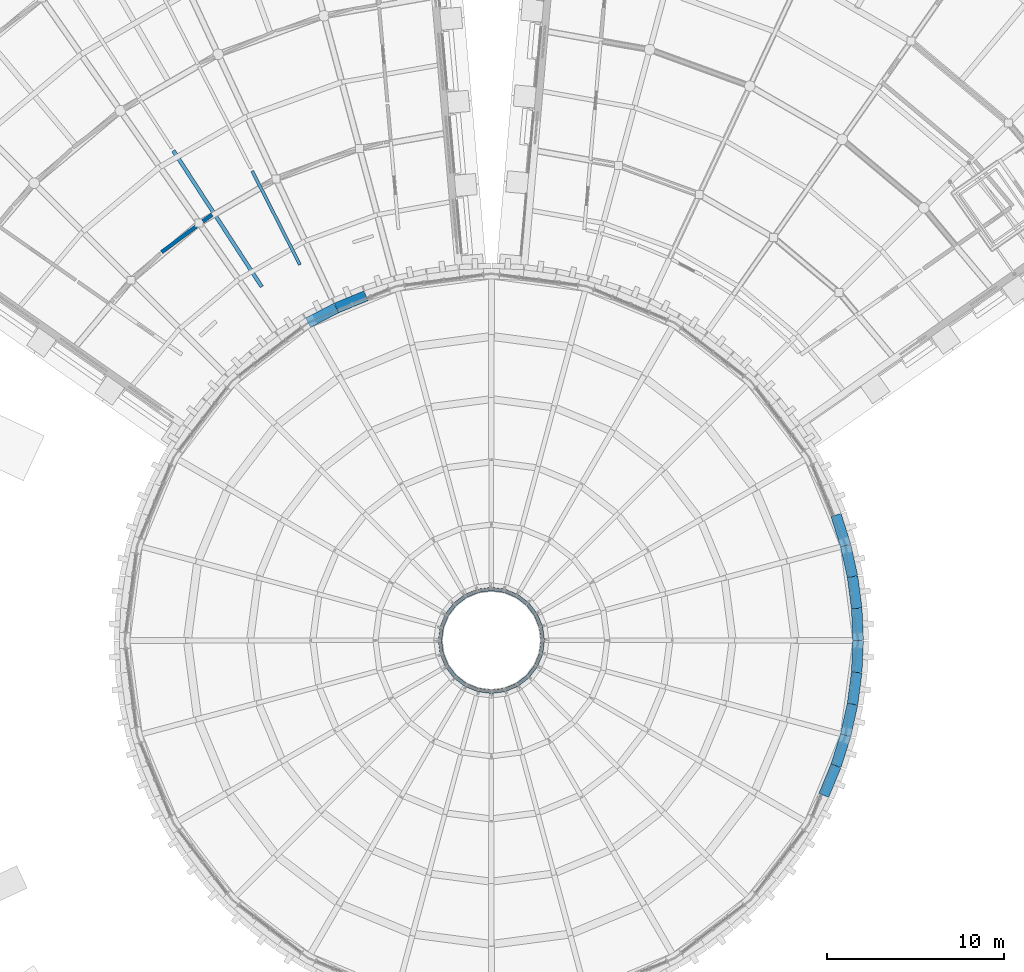
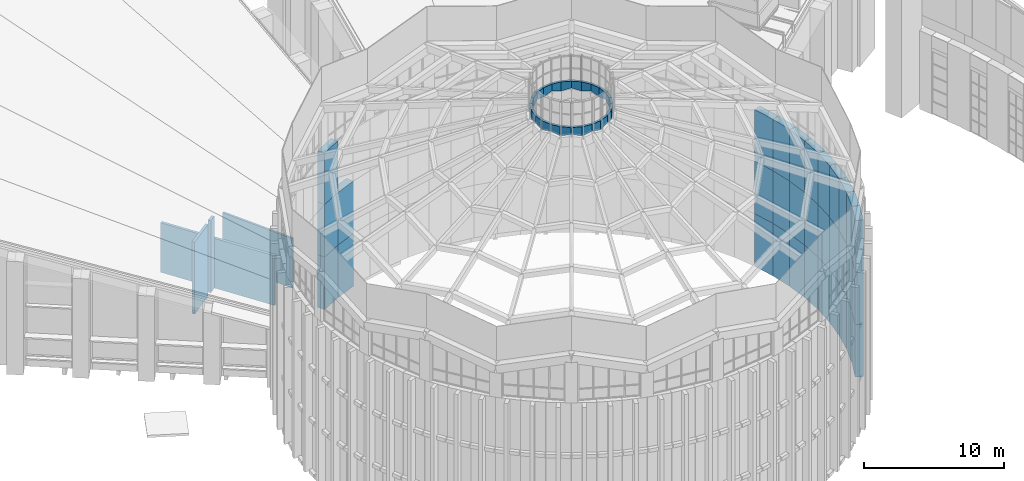
# One storey, part 54 of 82: 60 walls.
"""IFC4 building model written with IfcOpenShell, lengths in metres."""

from ifc_helpers import new_model, si_unit, direction, frame, frame_2d, origin, place, context, subcontext, project, spatial, polyline, rectangle, outline, extrude, material, layer, layer_set, type_object, element, save


model = new_model("IFC4")

# Units and contexts
model_context = context("Model", 3, precision=1e-05, world=origin(), true_north=direction((0.0, 1.0)))
body_context = subcontext(model_context, "Body", "Model", "MODEL_VIEW")
ifc_project = project(units=[si_unit("LENGTHUNIT", "METRE"), si_unit("AREAUNIT", "SQUARE_METRE"), si_unit("VOLUMEUNIT", "CUBIC_METRE"), si_unit("PLANEANGLEUNIT", "RADIAN"), si_unit("MASSUNIT", "GRAM", prefix="KILO")], contexts=[model_context])

# Site, building, storey
site_placement = place(None, origin())
site = spatial("IfcSite", under=ifc_project, at=site_placement, CompositionType="ELEMENT")
building_placement = place(site_placement, origin())
building = spatial("IfcBuilding", under=site, at=building_placement, Name="Volute Hill Aquarium", CompositionType="ELEMENT")
storey_placement = place(building_placement, frame((0.0, 0.0, 13.800048828125)))
storey = spatial("IfcBuildingStorey", under=building, at=storey_placement, Name="L04", CompositionType="ELEMENT", Elevation=13.800048828125)

# Walls
ifc_material_1 = material(Name="Gypsum board on steel studs", Category="steel")
ifc_layer_1 = layer(ifc_material_1, 0.175048828125)
ifc_layer_set_1 = layer_set([ifc_layer_1], Name="Corridor partition 175 EI 60")
wall_type_1 = type_object("IfcWallType", Name="Corridor partition 175 EI 60", PredefinedType="PARTITIONING", material=ifc_layer_set_1)
wall_1_placement = place(storey_placement, frame((-13.500732421875, 26.496826171875, 0.0), z_axis=(0.0, 0.0, 1.0), x_axis=(0.453992914648, -0.891005293727, 0.0)))
element("IfcWall", 1, at=wall_1_placement, inside=storey, type_object=wall_type_1, Name="pw/S6/L04/009", PredefinedType="PARTITIONING", context=body_context, shape_type="SweptSolid", body=[
    extrude(rectangle(XDim=5.93798828125, YDim=0.175048828125, at=frame_2d((2.968994140625, 0.0))), origin(), (0.0, 0.0, 1.0), 4.3349609375),
])
ifc_material_2 = material(Name="Concrete C35/45", Category="concrete")
ifc_layer_2 = layer(ifc_material_2, 0.60009765625)
ifc_layer_set_2 = layer_set([ifc_layer_2], Name="Drum wall C35/45 600")
wall_type_2 = type_object("IfcWallType", Name="Drum wall C35/45 600", PredefinedType="SHEAR", material=ifc_layer_set_2)
wall_2_placement = place(storey_placement, frame((20.699951171875, 0.0, 0.0), z_axis=(0.0, 0.0, 1.0), x_axis=(-0.043666024022, 0.999046184291, 0.0)))
element("IfcWall", 2, at=wall_2_placement, inside=storey, type_object=wall_type_2, Name="sw/DR/L04/0", PredefinedType="SHEAR", context=body_context, shape_type="SweptSolid", body=[
    extrude(rectangle(XDim=1.805908203125, YDim=0.60009765625, at=frame_2d((0.90283203125, 0.0))), origin(), (0.0, 0.0, 1.0), 4.599853515625),
])
wall_3_placement = place(storey_placement, frame((20.699951171875, 0.0, 4.599853515625), z_axis=(0.0, 0.0, 1.0), x_axis=(-0.043666024022, 0.999046184291, 0.0)))
element("IfcWall", 3, at=wall_3_placement, inside=storey, type_object=wall_type_2, Name="sw/DR/L04/72", PredefinedType="SHEAR", context=body_context, shape_type="SweptSolid", body=[
    extrude(rectangle(XDim=1.805908203125, YDim=0.60009765625, at=frame_2d((0.90283203125, 0.0))), origin(), (0.0, 0.0, 1.0), 4.60009765625),
])
wall_4_placement = place(storey_placement, frame((20.699951171875, 0.0, 9.199951171875), z_axis=(0.0, 0.0, 1.0), x_axis=(-0.043666024022, 0.999046184291, 0.0)))
element("IfcWall", 4, at=wall_4_placement, inside=storey, type_object=wall_type_2, Name="sw/DR/L04/144", PredefinedType="SHEAR", context=body_context, shape_type="SweptSolid", body=[
    extrude(rectangle(XDim=1.805908203125, YDim=0.60009765625, at=frame_2d((0.90283203125, 0.0))), origin(), (0.0, 0.0, 1.0), 4.5),
])
wall_5_placement = place(storey_placement, frame((20.62109375, 1.80419921875, 0.0), z_axis=(0.0, 0.0, 1.0), x_axis=(-0.130471999813, 0.991451994433, 0.0)))
element("IfcWall", 5, at=wall_5_placement, inside=storey, type_object=wall_type_2, Name="sw/DR/L04/1", PredefinedType="SHEAR", context=body_context, shape_type="SweptSolid", body=[
    extrude(rectangle(XDim=1.8056640625, YDim=0.60009765625, at=frame_2d((0.90283203125, 0.0))), origin(), (0.0, 0.0, 1.0), 4.599853515625),
])
wall_6_placement = place(storey_placement, frame((20.62109375, 1.80419921875, 4.599853515625), z_axis=(0.0, 0.0, 1.0), x_axis=(-0.130471999813, 0.991451994433, 0.0)))
element("IfcWall", 6, at=wall_6_placement, inside=storey, type_object=wall_type_2, Name="sw/DR/L04/73", PredefinedType="SHEAR", context=body_context, shape_type="SweptSolid", body=[
    extrude(rectangle(XDim=1.8056640625, YDim=0.60009765625, at=frame_2d((0.90283203125, 0.0))), origin(), (0.0, 0.0, 1.0), 4.60009765625),
])
wall_7_placement = place(storey_placement, frame((20.62109375, 1.80419921875, 9.199951171875), z_axis=(0.0, 0.0, 1.0), x_axis=(-0.130471999813, 0.991451994433, 0.0)))
element("IfcWall", 7, at=wall_7_placement, inside=storey, type_object=wall_type_2, Name="sw/DR/L04/145", PredefinedType="SHEAR", context=body_context, shape_type="SweptSolid", body=[
    extrude(rectangle(XDim=1.8056640625, YDim=0.60009765625, at=frame_2d((0.90283203125, 0.0))), origin(), (0.0, 0.0, 1.0), 4.5),
])
wall_8_placement = place(storey_placement, frame((20.385498046875, 3.594482421875, 0.0), z_axis=(0.0, 0.0, 1.0), x_axis=(-0.216429453554, 0.976298259567, 0.0)))
element("IfcWall", 8, at=wall_8_placement, inside=storey, type_object=wall_type_2, Name="sw/DR/L04/2", PredefinedType="SHEAR", context=body_context, shape_type="SweptSolid", body=[
    extrude(rectangle(XDim=1.805908203125, YDim=0.60009765625, at=frame_2d((0.90283203125, 0.0))), origin(), (0.0, 0.0, 1.0), 4.599853515625),
])
wall_9_placement = place(storey_placement, frame((20.385498046875, 3.594482421875, 4.599853515625), z_axis=(0.0, 0.0, 1.0), x_axis=(-0.216429453554, 0.976298259567, 0.0)))
element("IfcWall", 9, at=wall_9_placement, inside=storey, type_object=wall_type_2, Name="sw/DR/L04/74", PredefinedType="SHEAR", context=body_context, shape_type="SweptSolid", body=[
    extrude(rectangle(XDim=1.805908203125, YDim=0.60009765625, at=frame_2d((0.90283203125, 0.0))), origin(), (0.0, 0.0, 1.0), 4.60009765625),
])
wall_10_placement = place(storey_placement, frame((20.385498046875, 3.594482421875, 9.199951171875), z_axis=(0.0, 0.0, 1.0), x_axis=(-0.216429453554, 0.976298259567, 0.0)))
element("IfcWall", 10, at=wall_10_placement, inside=storey, type_object=wall_type_2, Name="sw/DR/L04/146", PredefinedType="SHEAR", context=body_context, shape_type="SweptSolid", body=[
    extrude(rectangle(XDim=1.805908203125, YDim=0.60009765625, at=frame_2d((0.90283203125, 0.0))), origin(), (0.0, 0.0, 1.0), 4.5),
])
wall_11_placement = place(storey_placement, frame((19.99462890625, 5.357666015625, 0.0), z_axis=(0.0, 0.0, 1.0), x_axis=(-0.300691330354, 0.953721512733, 0.0)))
element("IfcWall", 11, at=wall_11_placement, inside=storey, type_object=wall_type_2, Name="sw/DR/L04/3", PredefinedType="SHEAR", context=body_context, shape_type="SweptSolid", body=[
    extrude(rectangle(XDim=1.8056640625, YDim=0.60009765625, at=frame_2d((0.90283203125, 0.0))), origin(), (0.0, 0.0, 1.0), 4.599853515625),
])
wall_12_placement = place(storey_placement, frame((19.99462890625, 5.357666015625, 4.599853515625), z_axis=(0.0, 0.0, 1.0), x_axis=(-0.300691330354, 0.953721512733, 0.0)))
element("IfcWall", 12, at=wall_12_placement, inside=storey, type_object=wall_type_2, Name="sw/DR/L04/75", PredefinedType="SHEAR", context=body_context, shape_type="SweptSolid", body=[
    extrude(rectangle(XDim=1.8056640625, YDim=0.60009765625, at=frame_2d((0.90283203125, 0.0))), origin(), (0.0, 0.0, 1.0), 4.60009765625),
])
wall_13_placement = place(storey_placement, frame((19.99462890625, 5.357666015625, 9.199951171875), z_axis=(0.0, 0.0, 1.0), x_axis=(-0.300691330354, 0.953721512733, 0.0)))
element("IfcWall", 13, at=wall_13_placement, inside=storey, type_object=wall_type_2, Name="sw/DR/L04/147", PredefinedType="SHEAR", context=body_context, shape_type="SweptSolid", body=[
    extrude(rectangle(XDim=1.8056640625, YDim=0.60009765625, at=frame_2d((0.90283203125, 0.0))), origin(), (0.0, 0.0, 1.0), 4.5),
])
wall_14_placement = place(storey_placement, frame((-7.079833984375, 19.45166015625, 0.0), z_axis=(0.0, 0.0, 1.0), x_axis=(-0.923866889322, -0.382713954298, 0.0)))
element("IfcWall", 14, at=wall_14_placement, inside=storey, type_object=wall_type_2, Name="sw/DR/L04/22", PredefinedType="SHEAR", context=body_context, shape_type="SweptSolid", body=[
    extrude(rectangle(XDim=1.805908203125, YDim=0.60009765625, at=frame_2d((0.90283203125, 0.0))), origin(), (0.0, 0.0, 1.0), 4.599853515625),
])
wall_15_placement = place(storey_placement, frame((-7.079833984375, 19.45166015625, 4.599853515625), z_axis=(0.0, 0.0, 1.0), x_axis=(-0.923866889322, -0.382713954298, 0.0)))
element("IfcWall", 15, at=wall_15_placement, inside=storey, type_object=wall_type_2, Name="sw/DR/L04/94", PredefinedType="SHEAR", context=body_context, shape_type="SweptSolid", body=[
    extrude(rectangle(XDim=1.805908203125, YDim=0.60009765625, at=frame_2d((0.90283203125, 0.0))), origin(), (0.0, 0.0, 1.0), 4.60009765625),
])
wall_16_placement = place(storey_placement, frame((-8.748291015625, 18.760498046875, 0.0), z_axis=(0.0, 0.0, 1.0), x_axis=(-0.887035219654, -0.461701764231, 0.0)))
element("IfcWall", 16, at=wall_16_placement, inside=storey, type_object=wall_type_2, Name="sw/DR/L04/23", PredefinedType="SHEAR", context=body_context, shape_type="SweptSolid", body=[
    extrude(rectangle(XDim=1.805908203125, YDim=0.60009765625, at=frame_2d((0.90283203125, 0.0))), origin(), (0.0, 0.0, 1.0), 4.599853515625),
])
wall_17_placement = place(storey_placement, frame((-8.748291015625, 18.760498046875, 4.599853515625), z_axis=(0.0, 0.0, 1.0), x_axis=(-0.887035219654, -0.461701764231, 0.0)))
element("IfcWall", 17, at=wall_17_placement, inside=storey, type_object=wall_type_2, Name="sw/DR/L04/95", PredefinedType="SHEAR", context=body_context, shape_type="SweptSolid", body=[
    extrude(rectangle(XDim=1.805908203125, YDim=0.60009765625, at=frame_2d((0.90283203125, 0.0))), origin(), (0.0, 0.0, 1.0), 4.60009765625),
])
wall_18_placement = place(storey_placement, frame((-8.748291015625, 18.760498046875, 9.199951171875), z_axis=(0.0, 0.0, 1.0), x_axis=(-0.887035219654, -0.461701764231, 0.0)))
element("IfcWall", 18, at=wall_18_placement, inside=storey, type_object=wall_type_2, Name="sw/DR/L04/167", PredefinedType="SHEAR", context=body_context, shape_type="SweptSolid", body=[
    extrude(rectangle(XDim=1.805908203125, YDim=0.60009765625, at=frame_2d((0.90283203125, 0.0))), origin(), (0.0, 0.0, 1.0), 4.5),
])
wall_19_placement = place(storey_placement, frame((18.760498046875, -8.748291015625, 0.0), z_axis=(0.0, 0.0, 1.0), x_axis=(0.382713954298, 0.923866889322, 0.0)))
element("IfcWall", 19, at=wall_19_placement, inside=storey, type_object=wall_type_2, Name="sw/DR/L04/67", PredefinedType="SHEAR", context=body_context, shape_type="SweptSolid", body=[
    extrude(rectangle(XDim=1.805908203125, YDim=0.60009765625, at=frame_2d((0.90283203125, 0.0))), origin(), (0.0, 0.0, 1.0), 4.599853515625),
])
wall_20_placement = place(storey_placement, frame((18.760498046875, -8.748291015625, 4.599853515625), z_axis=(0.0, 0.0, 1.0), x_axis=(0.382713954298, 0.923866889322, 0.0)))
element("IfcWall", 20, at=wall_20_placement, inside=storey, type_object=wall_type_2, Name="sw/DR/L04/139", PredefinedType="SHEAR", context=body_context, shape_type="SweptSolid", body=[
    extrude(rectangle(XDim=1.805908203125, YDim=0.60009765625, at=frame_2d((0.90283203125, 0.0))), origin(), (0.0, 0.0, 1.0), 4.60009765625),
])
wall_21_placement = place(storey_placement, frame((18.760498046875, -8.748291015625, 9.199951171875), z_axis=(0.0, 0.0, 1.0), x_axis=(0.382713954298, 0.923866889322, 0.0)))
element("IfcWall", 21, at=wall_21_placement, inside=storey, type_object=wall_type_2, Name="sw/DR/L04/211", PredefinedType="SHEAR", context=body_context, shape_type="SweptSolid", body=[
    extrude(rectangle(XDim=1.805908203125, YDim=0.60009765625, at=frame_2d((0.90283203125, 0.0))), origin(), (0.0, 0.0, 1.0), 4.5),
])
wall_22_placement = place(storey_placement, frame((19.45166015625, -7.079833984375, 0.0), z_axis=(0.0, 0.0, 1.0), x_axis=(0.300691330354, 0.953721512733, 0.0)))
element("IfcWall", 22, at=wall_22_placement, inside=storey, type_object=wall_type_2, Name="sw/DR/L04/68", PredefinedType="SHEAR", context=body_context, shape_type="SweptSolid", body=[
    extrude(rectangle(XDim=1.8056640625, YDim=0.60009765625, at=frame_2d((0.90283203125, 0.0))), origin(), (0.0, 0.0, 1.0), 4.599853515625),
])
wall_23_placement = place(storey_placement, frame((19.45166015625, -7.079833984375, 4.599853515625), z_axis=(0.0, 0.0, 1.0), x_axis=(0.300691330354, 0.953721512733, 0.0)))
element("IfcWall", 23, at=wall_23_placement, inside=storey, type_object=wall_type_2, Name="sw/DR/L04/140", PredefinedType="SHEAR", context=body_context, shape_type="SweptSolid", body=[
    extrude(rectangle(XDim=1.8056640625, YDim=0.60009765625, at=frame_2d((0.90283203125, 0.0))), origin(), (0.0, 0.0, 1.0), 4.60009765625),
])
wall_24_placement = place(storey_placement, frame((19.45166015625, -7.079833984375, 9.199951171875), z_axis=(0.0, 0.0, 1.0), x_axis=(0.300691330354, 0.953721512733, 0.0)))
element("IfcWall", 24, at=wall_24_placement, inside=storey, type_object=wall_type_2, Name="sw/DR/L04/212", PredefinedType="SHEAR", context=body_context, shape_type="SweptSolid", body=[
    extrude(rectangle(XDim=1.8056640625, YDim=0.60009765625, at=frame_2d((0.90283203125, 0.0))), origin(), (0.0, 0.0, 1.0), 4.5),
])
wall_25_placement = place(storey_placement, frame((19.99462890625, -5.357666015625, 0.0), z_axis=(0.0, 0.0, 1.0), x_axis=(0.216429453554, 0.976298259567, 0.0)))
element("IfcWall", 25, at=wall_25_placement, inside=storey, type_object=wall_type_2, Name="sw/DR/L04/69", PredefinedType="SHEAR", context=body_context, shape_type="SweptSolid", body=[
    extrude(rectangle(XDim=1.805908203125, YDim=0.60009765625, at=frame_2d((0.90283203125, 0.0))), origin(), (0.0, 0.0, 1.0), 4.599853515625),
])
wall_26_placement = place(storey_placement, frame((19.99462890625, -5.357666015625, 4.599853515625), z_axis=(0.0, 0.0, 1.0), x_axis=(0.216429453554, 0.976298259567, 0.0)))
element("IfcWall", 26, at=wall_26_placement, inside=storey, type_object=wall_type_2, Name="sw/DR/L04/141", PredefinedType="SHEAR", context=body_context, shape_type="SweptSolid", body=[
    extrude(rectangle(XDim=1.805908203125, YDim=0.60009765625, at=frame_2d((0.90283203125, 0.0))), origin(), (0.0, 0.0, 1.0), 4.60009765625),
])
wall_27_placement = place(storey_placement, frame((19.99462890625, -5.357666015625, 9.199951171875), z_axis=(0.0, 0.0, 1.0), x_axis=(0.216429453554, 0.976298259567, 0.0)))
element("IfcWall", 27, at=wall_27_placement, inside=storey, type_object=wall_type_2, Name="sw/DR/L04/213", PredefinedType="SHEAR", context=body_context, shape_type="SweptSolid", body=[
    extrude(rectangle(XDim=1.805908203125, YDim=0.60009765625, at=frame_2d((0.90283203125, 0.0))), origin(), (0.0, 0.0, 1.0), 4.5),
])
wall_28_placement = place(storey_placement, frame((20.385498046875, -3.594482421875, 0.0), z_axis=(0.0, 0.0, 1.0), x_axis=(0.130471999813, 0.991451994433, 0.0)))
element("IfcWall", 28, at=wall_28_placement, inside=storey, type_object=wall_type_2, Name="sw/DR/L04/70", PredefinedType="SHEAR", context=body_context, shape_type="SweptSolid", body=[
    extrude(rectangle(XDim=1.8056640625, YDim=0.60009765625, at=frame_2d((0.90283203125, 0.0))), origin(), (0.0, 0.0, 1.0), 4.599853515625),
])
wall_29_placement = place(storey_placement, frame((20.385498046875, -3.594482421875, 4.599853515625), z_axis=(0.0, 0.0, 1.0), x_axis=(0.130471999813, 0.991451994433, 0.0)))
element("IfcWall", 29, at=wall_29_placement, inside=storey, type_object=wall_type_2, Name="sw/DR/L04/142", PredefinedType="SHEAR", context=body_context, shape_type="SweptSolid", body=[
    extrude(rectangle(XDim=1.8056640625, YDim=0.60009765625, at=frame_2d((0.90283203125, 0.0))), origin(), (0.0, 0.0, 1.0), 4.60009765625),
])
wall_30_placement = place(storey_placement, frame((20.385498046875, -3.594482421875, 9.199951171875), z_axis=(0.0, 0.0, 1.0), x_axis=(0.130471999813, 0.991451994433, 0.0)))
element("IfcWall", 30, at=wall_30_placement, inside=storey, type_object=wall_type_2, Name="sw/DR/L04/214", PredefinedType="SHEAR", context=body_context, shape_type="SweptSolid", body=[
    extrude(rectangle(XDim=1.8056640625, YDim=0.60009765625, at=frame_2d((0.90283203125, 0.0))), origin(), (0.0, 0.0, 1.0), 4.5),
])
wall_31_placement = place(storey_placement, frame((20.62109375, -1.80419921875, 0.0), z_axis=(0.0, 0.0, 1.0), x_axis=(0.043666024022, 0.999046184291, 0.0)))
element("IfcWall", 31, at=wall_31_placement, inside=storey, type_object=wall_type_2, Name="sw/DR/L04/71", PredefinedType="SHEAR", context=body_context, shape_type="SweptSolid", body=[
    extrude(rectangle(XDim=1.805908203125, YDim=0.60009765625, at=frame_2d((0.90283203125, 0.0))), origin(), (0.0, 0.0, 1.0), 4.599853515625),
])
wall_32_placement = place(storey_placement, frame((20.62109375, -1.80419921875, 4.599853515625), z_axis=(0.0, 0.0, 1.0), x_axis=(0.043666024022, 0.999046184291, 0.0)))
element("IfcWall", 32, at=wall_32_placement, inside=storey, type_object=wall_type_2, Name="sw/DR/L04/143", PredefinedType="SHEAR", context=body_context, shape_type="SweptSolid", body=[
    extrude(rectangle(XDim=1.805908203125, YDim=0.60009765625, at=frame_2d((0.90283203125, 0.0))), origin(), (0.0, 0.0, 1.0), 4.60009765625),
])
wall_33_placement = place(storey_placement, frame((20.62109375, -1.80419921875, 9.199951171875), z_axis=(0.0, 0.0, 1.0), x_axis=(0.043666024022, 0.999046184291, 0.0)))
element("IfcWall", 33, at=wall_33_placement, inside=storey, type_object=wall_type_2, Name="sw/DR/L04/215", PredefinedType="SHEAR", context=body_context, shape_type="SweptSolid", body=[
    extrude(rectangle(XDim=1.805908203125, YDim=0.60009765625, at=frame_2d((0.90283203125, 0.0))), origin(), (0.0, 0.0, 1.0), 4.5),
])
ifc_material_3 = material(Name="Concrete C40/50", Category="concrete")
ifc_layer_3 = layer(ifc_material_3, 0.199951171875)
ifc_layer_set_3 = layer_set([ifc_layer_3], Name="Lantern kerb wall 200")
wall_type_3 = type_object("IfcWallType", Name="Lantern kerb wall 200", PredefinedType="NOTDEFINED", material=ifc_layer_set_3)
wall_34_placement = place(storey_placement, frame((2.997314453125, 0.02587890625, 24.566650390625), z_axis=(0.99147702082, 0.130281684003, 0.0), x_axis=(-0.125534482699, 0.955349601665, -0.267485013135)))
element("IfcWall", 34, at=wall_34_placement, inside=storey, type_object=wall_type_3, Name="Lantern kerb wall LK 1", PredefinedType="NOTDEFINED", context=body_context, shape_type="SweptSolid", body=[
    extrude(outline(polyline([(0.0, 0.0), (0.7584756132592307, 2.7755575615628914e-17), (0.5437561984186752, 0.7734843564657078), (-0.1604518255058531, 0.5779960656436265), (0.0, 0.0)])), origin(), (0.0, 0.0, -1.0), 0.199951171875),
])
wall_35_placement = place(storey_placement, frame((2.888427734375, 0.801025390625, 24.36376953125), z_axis=(0.923915029187, 0.382597724564, 0.0), x_axis=(-0.368649459687, 0.89023210134, 0.267552577292)))
element("IfcWall", 35, at=wall_35_placement, inside=storey, type_object=wall_type_3, Name="Lantern kerb wall LK 2", PredefinedType="NOTDEFINED", context=body_context, shape_type="SweptSolid", body=[
    extrude(outline(polyline([(0.0, 0.0), (0.7582840779485818, 0.0), (0.9187764320520095, 0.5779848133662442), (0.21477365091252357, 0.7734692984730203), (0.0, 0.0)])), origin(), (0.0, 0.0, -1.0), 0.199951171875),
])
wall_36_placement = place(storey_placement, frame((2.582763671875, 1.521240234375, 24.566650390625), z_axis=(0.793294312563, 0.608838347721, 0.0), x_axis=(-0.586640470028, 0.764371282024, -0.267562146319)))
element("IfcWall", 36, at=wall_36_placement, inside=storey, type_object=wall_type_3, Name="Lantern kerb wall LK 3", PredefinedType="NOTDEFINED", context=body_context, shape_type="SweptSolid", body=[
    extrude(outline(polyline([(0.0, 0.0), (0.7582569588638378, -2.7755575615628914e-17), (0.5434756265647186, 0.7734671654973183), (-0.16049809411768123, 0.5779832194729049), (0.0, 0.0)])), origin(), (0.0, 0.0, -1.0), 0.199951171875),
])
wall_37_placement = place(storey_placement, frame((2.100830078125, 2.137939453125, 24.36376953125), z_axis=(0.608838347721, 0.793294312563, 0.0), x_axis=(-0.764371282024, 0.586640470028, 0.267562146319)))
element("IfcWall", 37, at=wall_37_placement, inside=storey, type_object=wall_type_3, Name="Lantern kerb wall LK 4", PredefinedType="NOTDEFINED", context=body_context, shape_type="SweptSolid", body=[
    extrude(outline(polyline([(0.0, 0.0), (0.7582569588638378, 2.7755575615628914e-17), (0.918755052981519, 0.5779832194729049), (0.21478133229911922, 0.7734671654973183), (0.0, 0.0)])), origin(), (0.0, 0.0, -1.0), 0.199951171875),
])
wall_38_placement = place(storey_placement, frame((1.47607421875, 2.60888671875, 24.566650390625), z_axis=(0.382597724564, 0.923915029187, 0.0), x_axis=(-0.89023210134, 0.368649459687, -0.267552577292)))
element("IfcWall", 38, at=wall_38_placement, inside=storey, type_object=wall_type_3, Name="Lantern kerb wall LK 5", PredefinedType="NOTDEFINED", context=body_context, shape_type="SweptSolid", body=[
    extrude(outline(polyline([(0.0, 0.0), (0.7582840779485818, 0.0), (0.5435104270360582, 0.7734692984730203), (-0.16049235410342774, 0.5779848133662442), (0.0, 0.0)])), origin(), (0.0, 0.0, -1.0), 0.199951171875),
])
wall_39_placement = place(storey_placement, frame((0.75048828125, 2.902099609375, 24.36376953125), z_axis=(0.130281684003, 0.99147702082, 0.0), x_axis=(-0.955349601665, 0.125534482699, 0.267485013135)))
element("IfcWall", 39, at=wall_39_placement, inside=storey, type_object=wall_type_3, Name="Lantern kerb wall LK 6", PredefinedType="NOTDEFINED", context=body_context, shape_type="SweptSolid", body=[
    extrude(outline(polyline([(0.0, 0.0), (0.7584756132592307, -2.7755575615628914e-17), (0.9189274387650839, 0.5779960656436264), (0.21471941484055557, 0.7734843564657077), (0.0, 0.0)])), origin(), (0.0, 0.0, -1.0), 0.199951171875),
])
wall_40_placement = place(storey_placement, frame((-0.02587890625, 2.997314453125, 24.566650390625), z_axis=(-0.130281684003, 0.99147702082, 0.0), x_axis=(-0.955349601665, -0.125534482699, -0.267485013135)))
element("IfcWall", 40, at=wall_40_placement, inside=storey, type_object=wall_type_3, Name="Lantern kerb wall LK 7", PredefinedType="NOTDEFINED", context=body_context, shape_type="SweptSolid", body=[
    extrude(outline(polyline([(0.0, 0.0), (0.7584756132592307, 2.7755575615628914e-17), (0.5437561984186752, 0.7734843564657078), (-0.1604518255058531, 0.5779960656436265), (0.0, 0.0)])), origin(), (0.0, 0.0, -1.0), 0.199951171875),
])
wall_41_placement = place(storey_placement, frame((-0.801025390625, 2.888427734375, 24.36376953125), z_axis=(-0.382597724564, 0.923915029187, 0.0), x_axis=(-0.89023210134, -0.368649459687, 0.267552577292)))
element("IfcWall", 41, at=wall_41_placement, inside=storey, type_object=wall_type_3, Name="Lantern kerb wall LK 8", PredefinedType="NOTDEFINED", context=body_context, shape_type="SweptSolid", body=[
    extrude(outline(polyline([(0.0, 0.0), (0.7582840779485818, 0.0), (0.9187764320520095, 0.5779848133662442), (0.21477365091252357, 0.7734692984730203), (0.0, 0.0)])), origin(), (0.0, 0.0, -1.0), 0.199951171875),
])
wall_42_placement = place(storey_placement, frame((-1.521240234375, 2.582763671875, 24.566650390625), z_axis=(-0.608838347721, 0.793294312563, 0.0), x_axis=(-0.764371282024, -0.586640470028, -0.267562146319)))
element("IfcWall", 42, at=wall_42_placement, inside=storey, type_object=wall_type_3, Name="Lantern kerb wall LK 9", PredefinedType="NOTDEFINED", context=body_context, shape_type="SweptSolid", body=[
    extrude(outline(polyline([(0.0, 0.0), (0.7582569588638378, -2.7755575615628914e-17), (0.5434756265647186, 0.7734671654973183), (-0.16049809411768123, 0.5779832194729049), (0.0, 0.0)])), origin(), (0.0, 0.0, -1.0), 0.199951171875),
])
wall_43_placement = place(storey_placement, frame((-2.137939453125, 2.100830078125, 24.36376953125), z_axis=(-0.793294312563, 0.608838347721, 0.0), x_axis=(-0.586640470028, -0.764371282024, 0.267562146319)))
element("IfcWall", 43, at=wall_43_placement, inside=storey, type_object=wall_type_3, Name="Lantern kerb wall LK 10", PredefinedType="NOTDEFINED", context=body_context, shape_type="SweptSolid", body=[
    extrude(outline(polyline([(0.0, 0.0), (0.7582569588638378, 2.7755575615628914e-17), (0.918755052981519, 0.5779832194729049), (0.21478133229911922, 0.7734671654973183), (0.0, 0.0)])), origin(), (0.0, 0.0, -1.0), 0.199951171875),
])
wall_44_placement = place(storey_placement, frame((-2.60888671875, 1.47607421875, 24.566650390625), z_axis=(-0.923915029187, 0.382597724564, 0.0), x_axis=(-0.368649459687, -0.89023210134, -0.267552577292)))
element("IfcWall", 44, at=wall_44_placement, inside=storey, type_object=wall_type_3, Name="Lantern kerb wall LK 11", PredefinedType="NOTDEFINED", context=body_context, shape_type="SweptSolid", body=[
    extrude(outline(polyline([(0.0, 0.0), (0.7582840779485818, 0.0), (0.5435104270360582, 0.7734692984730203), (-0.16049235410342774, 0.5779848133662442), (0.0, 0.0)])), origin(), (0.0, 0.0, -1.0), 0.199951171875),
])
wall_45_placement = place(storey_placement, frame((-2.902099609375, 0.75048828125, 24.36376953125), z_axis=(-0.99147702082, 0.130281684003, 0.0), x_axis=(-0.125534482699, -0.955349601665, 0.267485013135)))
element("IfcWall", 45, at=wall_45_placement, inside=storey, type_object=wall_type_3, Name="Lantern kerb wall LK 12", PredefinedType="NOTDEFINED", context=body_context, shape_type="SweptSolid", body=[
    extrude(outline(polyline([(0.0, 0.0), (0.7584756132592307, -2.7755575615628914e-17), (0.9189274387650839, 0.5779960656436264), (0.21471941484055557, 0.7734843564657077), (0.0, 0.0)])), origin(), (0.0, 0.0, -1.0), 0.199951171875),
])
wall_46_placement = place(storey_placement, frame((-2.997314453125, -0.02587890625, 24.566650390625), z_axis=(-0.99147702082, -0.130281684003, 0.0), x_axis=(0.125534482699, -0.955349601665, -0.267485013135)))
element("IfcWall", 46, at=wall_46_placement, inside=storey, type_object=wall_type_3, Name="Lantern kerb wall LK 13", PredefinedType="NOTDEFINED", context=body_context, shape_type="SweptSolid", body=[
    extrude(outline(polyline([(0.0, 0.0), (0.7584756132592307, 2.7755575615628914e-17), (0.5437561984186752, 0.7734843564657078), (-0.1604518255058531, 0.5779960656436265), (0.0, 0.0)])), origin(), (0.0, 0.0, -1.0), 0.199951171875),
])
wall_47_placement = place(storey_placement, frame((-2.888427734375, -0.801025390625, 24.36376953125), z_axis=(-0.923915029187, -0.382597724564, 0.0), x_axis=(0.368649459687, -0.89023210134, 0.267552577292)))
element("IfcWall", 47, at=wall_47_placement, inside=storey, type_object=wall_type_3, Name="Lantern kerb wall LK 14", PredefinedType="NOTDEFINED", context=body_context, shape_type="SweptSolid", body=[
    extrude(outline(polyline([(0.0, 0.0), (0.7582840779485818, 0.0), (0.9187764320520095, 0.5779848133662442), (0.21477365091252357, 0.7734692984730203), (0.0, 0.0)])), origin(), (0.0, 0.0, -1.0), 0.199951171875),
])
wall_48_placement = place(storey_placement, frame((-2.582763671875, -1.521240234375, 24.566650390625), z_axis=(-0.793294312563, -0.608838347721, 0.0), x_axis=(0.586640470028, -0.764371282024, -0.267562146319)))
element("IfcWall", 48, at=wall_48_placement, inside=storey, type_object=wall_type_3, Name="Lantern kerb wall LK 15", PredefinedType="NOTDEFINED", context=body_context, shape_type="SweptSolid", body=[
    extrude(outline(polyline([(0.0, 0.0), (0.7582569588638378, -2.7755575615628914e-17), (0.5434756265647186, 0.7734671654973183), (-0.16049809411768123, 0.5779832194729049), (0.0, 0.0)])), origin(), (0.0, 0.0, -1.0), 0.199951171875),
])
wall_49_placement = place(storey_placement, frame((-2.100830078125, -2.137939453125, 24.36376953125), z_axis=(-0.608838347721, -0.793294312563, 0.0), x_axis=(0.764371282024, -0.586640470028, 0.267562146319)))
element("IfcWall", 49, at=wall_49_placement, inside=storey, type_object=wall_type_3, Name="Lantern kerb wall LK 16", PredefinedType="NOTDEFINED", context=body_context, shape_type="SweptSolid", body=[
    extrude(outline(polyline([(0.0, 0.0), (0.7582569588638378, 2.7755575615628914e-17), (0.918755052981519, 0.5779832194729049), (0.21478133229911922, 0.7734671654973183), (0.0, 0.0)])), origin(), (0.0, 0.0, -1.0), 0.199951171875),
])
wall_50_placement = place(storey_placement, frame((-1.47607421875, -2.60888671875, 24.566650390625), z_axis=(-0.382597724564, -0.923915029187, 0.0), x_axis=(0.89023210134, -0.368649459687, -0.267552577292)))
element("IfcWall", 50, at=wall_50_placement, inside=storey, type_object=wall_type_3, Name="Lantern kerb wall LK 17", PredefinedType="NOTDEFINED", context=body_context, shape_type="SweptSolid", body=[
    extrude(outline(polyline([(0.0, 0.0), (0.7582840779485818, 0.0), (0.5435104270360582, 0.7734692984730203), (-0.16049235410342774, 0.5779848133662442), (0.0, 0.0)])), origin(), (0.0, 0.0, -1.0), 0.199951171875),
])
wall_51_placement = place(storey_placement, frame((-0.75048828125, -2.902099609375, 24.36376953125), z_axis=(-0.130281684003, -0.99147702082, 0.0), x_axis=(0.955349601665, -0.125534482699, 0.267485013135)))
element("IfcWall", 51, at=wall_51_placement, inside=storey, type_object=wall_type_3, Name="Lantern kerb wall LK 18", PredefinedType="NOTDEFINED", context=body_context, shape_type="SweptSolid", body=[
    extrude(outline(polyline([(0.0, 0.0), (0.7584756132592307, -2.7755575615628914e-17), (0.9189274387650839, 0.5779960656436264), (0.21471941484055557, 0.7734843564657077), (0.0, 0.0)])), origin(), (0.0, 0.0, -1.0), 0.199951171875),
])
wall_52_placement = place(storey_placement, frame((0.02587890625, -2.997314453125, 24.566650390625), z_axis=(0.130281684003, -0.99147702082, 0.0), x_axis=(0.955349601665, 0.125534482699, -0.267485013135)))
element("IfcWall", 52, at=wall_52_placement, inside=storey, type_object=wall_type_3, Name="Lantern kerb wall LK 19", PredefinedType="NOTDEFINED", context=body_context, shape_type="SweptSolid", body=[
    extrude(outline(polyline([(0.0, 0.0), (0.7584756132592307, 2.7755575615628914e-17), (0.5437561984186752, 0.7734843564657078), (-0.1604518255058531, 0.5779960656436265), (0.0, 0.0)])), origin(), (0.0, 0.0, -1.0), 0.199951171875),
])
wall_53_placement = place(storey_placement, frame((0.801025390625, -2.888427734375, 24.36376953125), z_axis=(0.382597724564, -0.923915029187, 0.0), x_axis=(0.89023210134, 0.368649459687, 0.267552577292)))
element("IfcWall", 53, at=wall_53_placement, inside=storey, type_object=wall_type_3, Name="Lantern kerb wall LK 20", PredefinedType="NOTDEFINED", context=body_context, shape_type="SweptSolid", body=[
    extrude(outline(polyline([(0.0, 0.0), (0.7582840779485818, 0.0), (0.9187764320520095, 0.5779848133662442), (0.21477365091252357, 0.7734692984730203), (0.0, 0.0)])), origin(), (0.0, 0.0, -1.0), 0.199951171875),
])
wall_54_placement = place(storey_placement, frame((1.521240234375, -2.582763671875, 24.566650390625), z_axis=(0.608838347721, -0.793294312563, 0.0), x_axis=(0.764371282024, 0.586640470028, -0.267562146319)))
element("IfcWall", 54, at=wall_54_placement, inside=storey, type_object=wall_type_3, Name="Lantern kerb wall LK 21", PredefinedType="NOTDEFINED", context=body_context, shape_type="SweptSolid", body=[
    extrude(outline(polyline([(0.0, 0.0), (0.7582569588638378, -2.7755575615628914e-17), (0.5434756265647186, 0.7734671654973183), (-0.16049809411768123, 0.5779832194729049), (0.0, 0.0)])), origin(), (0.0, 0.0, -1.0), 0.199951171875),
])
wall_55_placement = place(storey_placement, frame((2.137939453125, -2.100830078125, 24.36376953125), z_axis=(0.793294312563, -0.608838347721, 0.0), x_axis=(0.586640470028, 0.764371282024, 0.267562146319)))
element("IfcWall", 55, at=wall_55_placement, inside=storey, type_object=wall_type_3, Name="Lantern kerb wall LK 22", PredefinedType="NOTDEFINED", context=body_context, shape_type="SweptSolid", body=[
    extrude(outline(polyline([(0.0, 0.0), (0.7582569588638378, 2.7755575615628914e-17), (0.918755052981519, 0.5779832194729049), (0.21478133229911922, 0.7734671654973183), (0.0, 0.0)])), origin(), (0.0, 0.0, -1.0), 0.199951171875),
])
wall_56_placement = place(storey_placement, frame((2.60888671875, -1.47607421875, 24.566650390625), z_axis=(0.923915029187, -0.382597724564, 0.0), x_axis=(0.368649459687, 0.89023210134, -0.267552577292)))
element("IfcWall", 56, at=wall_56_placement, inside=storey, type_object=wall_type_3, Name="Lantern kerb wall LK 23", PredefinedType="NOTDEFINED", context=body_context, shape_type="SweptSolid", body=[
    extrude(outline(polyline([(0.0, 0.0), (0.7582840779485818, 0.0), (0.5435104270360582, 0.7734692984730203), (-0.16049235410342774, 0.5779848133662442), (0.0, 0.0)])), origin(), (0.0, 0.0, -1.0), 0.199951171875),
])
wall_57_placement = place(storey_placement, frame((2.902099609375, -0.75048828125, 24.36376953125), z_axis=(0.99147702082, -0.130281684003, 0.0), x_axis=(0.125534482699, 0.955349601665, 0.267485013135)))
element("IfcWall", 57, at=wall_57_placement, inside=storey, type_object=wall_type_3, Name="Lantern kerb wall LK 24", PredefinedType="NOTDEFINED", context=body_context, shape_type="SweptSolid", body=[
    extrude(outline(polyline([(0.0, 0.0), (0.7584756132592307, -2.7755575615628914e-17), (0.9189274387650839, 0.5779960656436264), (0.21471941484055557, 0.7734843564657077), (0.0, 0.0)])), origin(), (0.0, 0.0, -1.0), 0.199951171875),
])
ifc_material_4 = material(Name="Masonry blockwork", Category="masonry")
ifc_layer_4 = layer(ifc_material_4, 0.215087890625)
ifc_layer_set_4 = layer_set([ifc_layer_4], Name="Plant room wall 215 EI 60")
wall_type_4 = type_object("IfcWallType", Name="Plant room wall 215 EI 60", PredefinedType="PARTITIONING", material=ifc_layer_set_4)
wall_58_placement = place(storey_placement, frame((-12.96240234375, 19.96044921875, 0.0), z_axis=(0.0, 0.0, 1.0), x_axis=(-0.544645595922, 0.838666307206, 0.0)))
element("IfcWall", 58, at=wall_58_placement, inside=storey, type_object=wall_type_4, Name="pw/S6/L04/001", PredefinedType="PARTITIONING", context=body_context, shape_type="SweptSolid", body=[
    extrude(rectangle(XDim=9.16455078125, YDim=0.215087890625, at=frame_2d((4.582275390625, 0.0))), origin(), (0.0, 0.0, 1.0), 4.3349609375),
])
wall_59_placement = place(storey_placement, frame((-18.60791015625, 21.916015625, 0.0), z_axis=(0.0, 0.0, 1.0), x_axis=(0.802120624252, 0.597162041786, 0.0)))
element("IfcWall", 59, at=wall_59_placement, inside=storey, type_object=wall_type_4, Name="pw/S6/L04/030", PredefinedType="PARTITIONING", context=body_context, shape_type="SweptSolid", body=[
    extrude(rectangle(XDim=2.439453125, YDim=0.215087890625, at=frame_2d((1.2197265625, 0.0))), origin(), (0.0, 0.0, 1.0), 6.3056640625),
])
wall_60_placement = place(storey_placement, frame((-16.27392578125, 23.653564453125, 0.0), z_axis=(0.0, 0.0, 1.0), x_axis=(0.801995698841, 0.597329807595, 0.0)))
element("IfcWall", 60, at=wall_60_placement, inside=storey, type_object=wall_type_4, Name="pw/S6/L04/053", PredefinedType="PARTITIONING", context=body_context, shape_type="SweptSolid", body=[
    extrude(rectangle(XDim=0.6298828125, YDim=0.215087890625, at=frame_2d((0.31494140625, 0.0))), origin(), (0.0, 0.0, 1.0), 6.309326171875),
])

save(model, "model.ifc")
